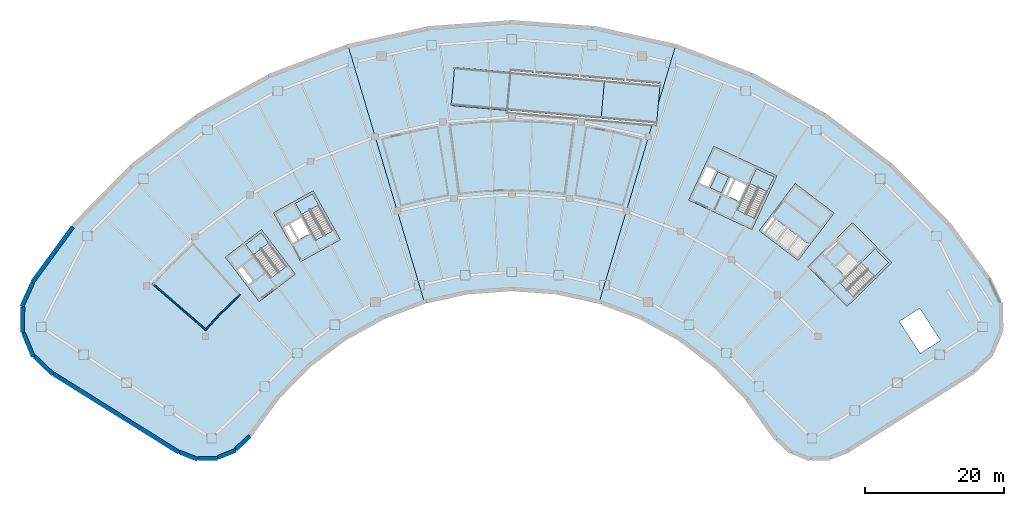
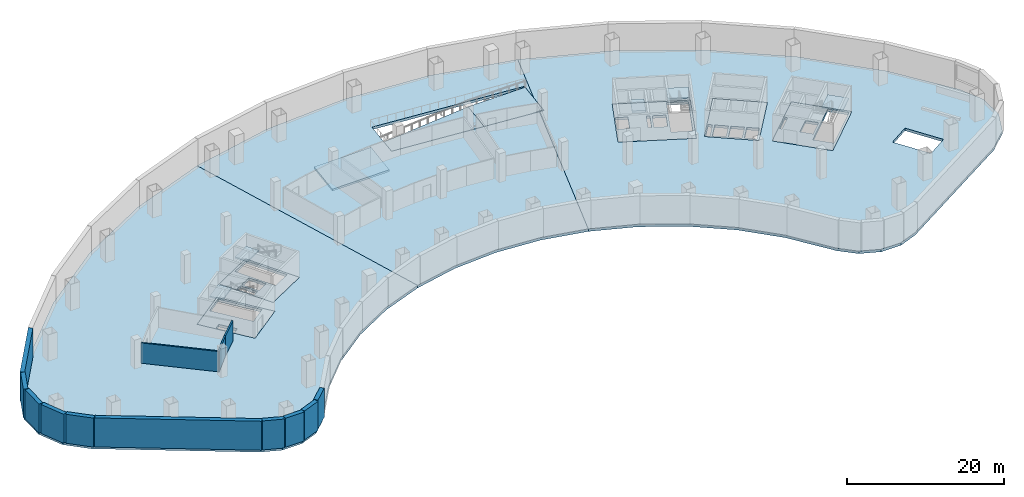
# One storey, part 3 of 11: 16 slabs, 13 walls, 4 elements without a shape of their own.
"""IFC4 building model written with IfcOpenShell, lengths in metres."""

import ifcopenshell
import ifcopenshell.guid

model = None  # the IFC model being written
_history = None  # IfcOwnerHistory: only IFC2X3 demands one
_inside = {}  # id of a spatial element -> (the spatial element, [elements in it])
_under = {}  # id of a project, library or spatial element -> (it, [spatial elements below it])
_declared = {}  # id of a project -> (the project, [libraries it declares])
_typed = {}  # id of a type object -> (the type object, [elements of that type])
_made_of = {}  # id of a material, layer set ... -> (it, [elements and type objects made of it])


def new_model(schema):
    """Start an empty IFC model of exactly this schema.

    Asked for "IFC4X3", IfcOpenShell would pick the latest addendum, in which some entities
    have other attributes; the version numbers below select the first issue.
    IFC2X3 requires an IfcOwnerHistory on every rooted entity: one is made here for all.
    """
    global model, _history
    if schema == "IFC4X3":
        model = ifcopenshell.file(schema_version=(4, 3, 0, 0))
    else:
        model = ifcopenshell.file(schema=schema)
    _inside.clear()
    _under.clear()
    _declared.clear()
    _typed.clear()
    _made_of.clear()
    _history = None
    if model.schema == "IFC2X3":
        org = make("IfcOrganization", Name="unknown")
        user = make(
            "IfcPersonAndOrganization",
            ThePerson=make("IfcPerson", FamilyName="unknown"),
            TheOrganization=org,
        )
        app = make(
            "IfcApplication",
            ApplicationDeveloper=org,
            Version="unknown",
            ApplicationFullName="unknown",
            ApplicationIdentifier="unknown",
        )
        _history = make(
            "IfcOwnerHistory",
            OwningUser=user,
            OwningApplication=app,
            ChangeAction="ADDED",
            CreationDate=0,
        )
    return model


def make(cls, **values):
    """One entity of the class cls with the attributes given. An attribute that is None is left unset."""
    return model.create_entity(
        cls, **{name: value for name, value in values.items() if value is not None}
    )


def rooted(cls, **values):
    """An entity with a GlobalId (a new one), such as an element, a storey or a relation."""
    return make(cls, GlobalId=ifcopenshell.guid.new(), OwnerHistory=_history, **values)


def si_unit(unit_type, name, prefix=None):
    """IfcSIUnit, for example si_unit("LENGTHUNIT", "METRE", prefix="MILLI")."""
    return make("IfcSIUnit", UnitType=unit_type, Prefix=prefix, Name=name)


def assignment(units):
    """IfcUnitAssignment: the units of a project."""
    return None if units is None else make("IfcUnitAssignment", Units=units)


def point(xyz):
    """IfcCartesianPoint."""
    return None if xyz is None else make("IfcCartesianPoint", Coordinates=xyz)


def direction(xyz):
    """IfcDirection."""
    return None if xyz is None else make("IfcDirection", DirectionRatios=xyz)


def frame(location, z_axis=None, x_axis=None):
    """IfcAxis2Placement3D, a coordinate frame: its origin and axes. An axis left out is left unset."""
    return make(
        "IfcAxis2Placement3D",
        Location=point(location),
        Axis=direction(z_axis),
        RefDirection=direction(x_axis),
    )


def frame_2d(location, x_axis=None):
    """IfcAxis2Placement2D, a coordinate frame in the plane: its origin and x axis."""
    return make(
        "IfcAxis2Placement2D", Location=point(location), RefDirection=direction(x_axis)
    )


def origin():
    """The frame at (0, 0, 0) with its axes left unset."""
    return frame((0.0, 0.0, 0.0))


def place(relative_to, where):
    """IfcLocalPlacement: puts the frame where relative to a parent placement (None: the world)."""
    return make(
        "IfcLocalPlacement", PlacementRelTo=relative_to, RelativePlacement=where
    )


def context(
    kind, dimensions, precision=None, world=None, true_north=None, identifier=None
):
    """IfcGeometricRepresentationContext, for example the 3D "Model" context."""
    return make(
        "IfcGeometricRepresentationContext",
        ContextIdentifier=identifier,
        ContextType=kind,
        CoordinateSpaceDimension=dimensions,
        Precision=precision,
        WorldCoordinateSystem=world,
        TrueNorth=true_north,
    )


def subcontext(parent, identifier, kind, view, scale=None):
    """IfcGeometricRepresentationSubContext, for example "Body" below "Model"."""
    return make(
        "IfcGeometricRepresentationSubContext",
        ContextIdentifier=identifier,
        ContextType=kind,
        ParentContext=parent,
        TargetScale=scale,
        TargetView=view,
    )


def project(units=None, contexts=None):
    """IfcProject with its units and contexts."""
    return rooted(
        "IfcProject",
        Name="project",
        RepresentationContexts=contexts,
        UnitsInContext=assignment(units),
    )


def spatial(cls, under=None, at=None, **own):
    """A site, building, storey or space (cls), placed at a placement, below another one or the project."""
    s = rooted(cls, ObjectPlacement=at, **own)
    if under is not None:
        _under.setdefault(under.id(), (under, []))[1].append(s)
    return s


def polyline(points):
    """IfcPolyline through the points."""
    return make("IfcPolyline", Points=[point(p) for p in points])


def profile(cls, at=None, kind="AREA", **sizes):
    """A parametric profile (cls). Its sizes go by their IFC names, for example OverallWidth=200.0."""
    return make(cls, ProfileType=kind, Position=at, **sizes)


def rectangle(**sizes):
    """IfcRectangleProfileDef."""
    return profile("IfcRectangleProfileDef", **sizes)


def outline(outer, holes=None, kind="AREA"):
    """IfcArbitraryClosedProfileDef: a profile drawn as a closed curve; with holes, ...WithVoids."""
    if holes is None:
        return make("IfcArbitraryClosedProfileDef", ProfileType=kind, OuterCurve=outer)
    return make(
        "IfcArbitraryProfileDefWithVoids",
        ProfileType=kind,
        OuterCurve=outer,
        InnerCurves=holes,
    )


def extrude(swept, where, along, depth):
    """IfcExtrudedAreaSolid: the profile swept, set in the frame where, extruded along a direction by depth."""
    return make(
        "IfcExtrudedAreaSolid",
        SweptArea=swept,
        Position=where,
        ExtrudedDirection=direction(along),
        Depth=depth,
    )


def shape(context_of_items, identifier, shape_type, items):
    """IfcShapeRepresentation: the items that make up one representation, for example the "Body"."""
    return make(
        "IfcShapeRepresentation",
        ContextOfItems=context_of_items,
        RepresentationIdentifier=identifier,
        RepresentationType=shape_type,
        Items=items,
    )


def material(Name=None, Category=None):
    """IfcMaterial."""
    return make("IfcMaterial", Name=Name, Category=Category)


def layer(
    of_material, thickness, ventilated=None, Name=None, Category=None, Priority=None
):
    """IfcMaterialLayer: one layer of a wall or slab, of a material (None: an air gap)."""
    return make(
        "IfcMaterialLayer",
        Material=of_material,
        LayerThickness=thickness,
        IsVentilated=ventilated,
        Name=Name,
        Category=Category,
        Priority=Priority,
    )


def layer_set(layers, Name=None):
    """IfcMaterialLayerSet."""
    return make("IfcMaterialLayerSet", MaterialLayers=layers, LayerSetName=Name)


def made_of(thing, what):
    """Note that an element or type object is made of a material, layer set ...; save() writes the relation."""
    if what is not None:
        _made_of.setdefault(what.id(), (what, []))[1].append(thing)
    return thing


def type_object(cls, material=None, **own):
    """A type object (cls), such as IfcWallType, which elements share."""
    return made_of(rooted(cls, **own), material)


def element(
    cls,
    number,
    at=None,
    inside=None,
    cuts=None,
    type_object=None,
    material=None,
    context=None,
    identifier="Body",
    shape_type=None,
    held_by="IfcProductDefinitionShape",
    body=None,
    shapes=None,
    **own,
):
    """One element of the class cls, such as IfcWall. Its Tag is "e" and its number.

    at: its placement. inside: the storey or other place that contains it. cuts: it is an
    opening in that element (IfcRelVoidsElement). A single representation is given by context,
    identifier, shape_type and body (its items); several are given by shapes. held_by: the class
    of the entity that holds the representations. save() writes the other relations.
    """
    e = rooted(cls, Tag="e%d" % number, ObjectPlacement=at, **own)
    if body is not None:
        shapes = [shape(context, identifier, shape_type, body)]
    if shapes is not None:
        e.Representation = make(held_by, Representations=shapes)
    if inside is not None:
        _inside.setdefault(inside.id(), (inside, []))[1].append(e)
    if cuts is not None:
        rooted(
            "IfcRelVoidsElement", RelatingBuildingElement=cuts, RelatedOpeningElement=e
        )
    if type_object is not None:
        _typed.setdefault(type_object.id(), (type_object, []))[1].append(e)
    return made_of(e, material)


def aggregate(whole, parts):
    """IfcRelAggregates: a whole, such as a stair, and the parts it consists of."""
    return rooted("IfcRelAggregates", RelatingObject=whole, RelatedObjects=parts)


def save(model, path):
    """Write the relations noted so far, then the file.

    IfcRelAggregates (storeys below a building ...), IfcRelContainedInSpatialStructure (elements
    in a storey), IfcRelDefinesByType, IfcRelAssociatesMaterial and IfcRelDeclares: one each for
    every whole, place, type object, material and project.
    """
    for whole, parts in _under.values():
        aggregate(whole, parts)
    for where, things in _inside.values():
        rooted(
            "IfcRelContainedInSpatialStructure",
            RelatedElements=things,
            RelatingStructure=where,
        )
    for kind, things in _typed.values():
        rooted("IfcRelDefinesByType", RelatedObjects=things, RelatingType=kind)
    for what, things in _made_of.values():
        rooted("IfcRelAssociatesMaterial", RelatedObjects=things, RelatingMaterial=what)
    for by, libraries in _declared.values():
        rooted("IfcRelDeclares", RelatingContext=by, RelatedDefinitions=libraries)
    model.write(path)


model = new_model("IFC4")

# Units and contexts
model_context = context("Model", 3, precision=1e-05, world=origin(), true_north=direction((0.0, 1.0)))
body_context = subcontext(model_context, "Body", "Model", "MODEL_VIEW")
ifc_project = project(units=[si_unit("LENGTHUNIT", "METRE"), si_unit("AREAUNIT", "SQUARE_METRE"), si_unit("VOLUMEUNIT", "CUBIC_METRE"), si_unit("PLANEANGLEUNIT", "RADIAN"), si_unit("MASSUNIT", "GRAM", prefix="KILO")], contexts=[model_context])

# Site, building, storey
site_placement = place(None, origin())
site = spatial("IfcSite", under=ifc_project, at=site_placement, CompositionType="ELEMENT")
building_placement = place(site_placement, origin())
building = spatial("IfcBuilding", under=site, at=building_placement, Name="Tuul Gate Civic Tower", CompositionType="ELEMENT")
storey_placement = place(building_placement, frame((0.0, 0.0, -4.5)))
storey = spatial("IfcBuildingStorey", under=building, at=storey_placement, Name="Basement 1", CompositionType="ELEMENT", Elevation=-4.5)

# Slabs
ifc_material_1 = material(Name="Concrete C40/50", Category="concrete")
ifc_layer_1 = layer(ifc_material_1, 0.39990234375)
ifc_layer_set_1 = layer_set([ifc_layer_1], Name="Concrete C40/50")
slab_type_1 = type_object("IfcSlabType", Name="Core floor slab 400", PredefinedType="FLOOR", material=ifc_layer_set_1)
slab_1_placement = place(storey_placement, frame((0.0, 0.0, -0.400146484375)))
element("IfcSlab", 1, at=slab_1_placement, inside=storey, type_object=slab_type_1, Name="FLOOR SLAB", PredefinedType="FLOOR", context=body_context, shape_type="SweptSolid", body=[
    extrude(outline(polyline([(-31.10009765625, -13.7890625), (-35.946044921875, -7.423828125), (-41.11767578125, -11.361572265625), (-36.271484375, -17.726806640625), (-31.10009765625, -13.7890625)]), holes=[polyline([(-37.19287109375, -14.783203125), (-38.737548828125, -12.75439453125), (-39.45361328125, -13.299560546875), (-37.908935546875, -15.328369140625), (-37.19287109375, -14.783203125)]), polyline([(-32.33935546875, -12.65771484375), (-34.56591796875, -14.352783203125), (-38.229736328125, -9.54052734375), (-36.003173828125, -7.845458984375), (-32.33935546875, -12.65771484375)])]), origin(), (0.0, 0.0, 1.0), 0.400146484375),
])
slab_2_placement = place(storey_placement, frame((0.0, 0.0, -0.400146484375)))
element("IfcSlab", 2, at=slab_2_placement, inside=storey, type_object=slab_type_1, Name="FLOOR SLAB", PredefinedType="FLOOR", context=body_context, shape_type="SweptSolid", body=[
    extrude(outline(polyline([(-24.638916015625, -8.846923828125), (-28.51708984375, -1.849853515625), (-34.2021484375, -5.0009765625), (-30.32421875, -11.998046875), (-24.638916015625, -8.846923828125)]), holes=[polyline([(-29.0185546875, -7.958740234375), (-30.254638671875, -5.728515625), (-31.785400390625, -6.576904296875), (-30.54931640625, -8.80712890625), (-29.0185546875, -7.958740234375)]), polyline([(-30.8115234375, -8.95263671875), (-32.047607421875, -6.72216796875), (-32.8349609375, -7.158447265625), (-31.5986328125, -9.388916015625), (-30.8115234375, -8.95263671875)]), polyline([(-25.702392578125, -7.548828125), (-28.14990234375, -8.905517578125), (-31.08203125, -3.615234375), (-28.63427734375, -2.2587890625), (-25.702392578125, -7.548828125)])]), origin(), (0.0, 0.0, 1.0), 0.400146484375),
])
slab_3_placement = place(storey_placement, frame((0.0, 0.0, -0.400146484375)))
element("IfcSlab", 3, at=slab_3_placement, inside=storey, type_object=slab_type_1, Name="FLOOR SLAB", PredefinedType="FLOOR", context=body_context, shape_type="SweptSolid", body=[
    extrude(outline(polyline([(48.117919921875, -18.43310546875), (54.545166015625, -12.1328125), (48.945068359375, -6.419921875), (42.517822265625, -12.719970703125), (48.117919921875, -18.43310546875)]), holes=[polyline([(47.808837890625, -13.974853515625), (49.6298828125, -12.18994140625), (48.40478515625, -10.940185546875), (46.583984375, -12.72509765625), (47.808837890625, -13.974853515625)]), polyline([(44.93896484375, -11.046875), (46.760009765625, -9.261962890625), (46.514892578125, -9.011962890625), (44.69384765625, -10.797119140625), (44.93896484375, -11.046875)]), polyline([(49.086181640625, -17.062744140625), (47.12744140625, -15.064208984375), (52.160888671875, -10.130126953125), (54.11962890625, -12.128662109375), (49.086181640625, -17.062744140625)])]), origin(), (0.0, 0.0, 1.0), 0.400146484375),
])
slab_4_placement = place(storey_placement, frame((0.0, 0.0, -0.400146484375)))
element("IfcSlab", 4, at=slab_4_placement, inside=storey, type_object=slab_type_1, Name="FLOOR SLAB", PredefinedType="FLOOR", context=body_context, shape_type="SweptSolid", body=[
    extrude(outline(polyline([(34.465087890625, -7.385986328125), (38.056884765625, 0.31787109375), (28.993896484375, 4.543701171875), (25.40185546875, -3.159912109375), (34.465087890625, -7.385986328125)]), holes=[polyline([(32.60888671875, -3.32080078125), (33.6865234375, -1.009765625), (32.1005859375, -0.27001953125), (31.02294921875, -2.581298828125), (32.60888671875, -3.32080078125)]), polyline([(30.751220703125, -2.454345703125), (31.82861328125, -0.143310546875), (31.4208984375, 0.046875), (30.34326171875, -2.264404296875), (30.751220703125, -2.454345703125)]), polyline([(28.21337890625, -1.27099609375), (29.291015625, 1.0400390625), (27.8408203125, 1.71630859375), (26.76318359375, -0.594970703125), (28.21337890625, -1.27099609375)]), polyline([(34.889892578125, -5.7626953125), (32.353759765625, -4.580078125), (35.120849609375, 1.354736328125), (37.6572265625, 0.17236328125), (34.889892578125, -5.7626953125)])]), origin(), (0.0, 0.0, 1.0), 0.400146484375),
])
ifc_material_2 = material(Name="Concrete C40/50", Category="concrete")
ifc_layer_2 = layer(ifc_material_2, 0.39990234375)
ifc_layer_set_2 = layer_set([ifc_layer_2], Name="Concrete C40/50")
slab_type_2 = type_object("IfcSlabType", Name="Core floor slab 400 non-bearing", PredefinedType="FLOOR", material=ifc_layer_set_2)
slab_5_placement = place(storey_placement, frame((0.0, 0.0, -0.400146484375)))
element("IfcSlab", 5, at=slab_5_placement, inside=storey, type_object=slab_type_2, Name="FLOOR SLAB", PredefinedType="FLOOR", context=body_context, shape_type="SweptSolid", body=[
    extrude(outline(polyline([(41.10107421875, -11.797119140625), (46.25, -5.033935546875), (40.680908203125, -0.79296875), (35.531982421875, -7.555908203125), (41.10107421875, -11.797119140625)]), holes=[polyline([(41.044189453125, -11.37646484375), (42.497802734375, -9.467041015625), (41.22509765625, -8.49755859375), (39.77099609375, -10.4072265625), (41.044189453125, -11.37646484375)]), polyline([(39.532470703125, -10.225341796875), (40.986328125, -8.31591796875), (39.593994140625, -7.255615234375), (38.14013671875, -9.165283203125), (39.532470703125, -10.225341796875)]), polyline([(37.901611328125, -8.9833984375), (39.35546875, -7.073974609375), (37.963134765625, -6.013671875), (36.50927734375, -7.923095703125), (37.901611328125, -8.9833984375)]), polyline([(36.1796875, -7.860595703125), (37.724609375, -5.831787109375), (37.286865234375, -5.49853515625), (35.7421875, -7.527587890625), (36.1796875, -7.860595703125)])]), origin(), (0.0, 0.0, 1.0), 0.400146484375),
])

# Stair, slab
ifc_material_3 = material(Name="Concrete C40/50", Category="concrete")
stair_type = type_object("IfcStairType", Name="Exit stair", PredefinedType="HALF_TURN_STAIR", material=ifc_material_3)
stair_1_placement = place(storey_placement, origin())
stair_1 = element("IfcStair", 6, at=stair_1_placement, inside=storey, type_object=stair_type, Name="Basement 1 ST-1", PredefinedType="HALF_TURN_STAIR")
ifc_material_4 = material(Name="Concrete C40/50", Category="concrete")
ifc_layer_3 = layer(ifc_material_4, 0.199951171875)
ifc_layer_set_3 = layer_set([ifc_layer_3], Name="Concrete C40/50")
slab_type_3 = type_object("IfcSlabType", Name="Exit stair landing", PredefinedType="LANDING", material=ifc_layer_set_3)
slab_6_placement = place(storey_placement, frame((0.0, 0.0, 2.050048828125)))
slab_6 = element("IfcSlab", 7, at=slab_6_placement, type_object=slab_type_3, Name="ST-1 landing 1", PredefinedType="LANDING", context=body_context, shape_type="SweptSolid", body=[
    extrude(outline(polyline([(-34.88134765625, -9.31640625), (-37.1103515625, -11.013427734375), (-38.23193359375, -9.540283203125), (-36.0029296875, -7.843017578125), (-34.88134765625, -9.31640625)])), origin(), (0.0, 0.0, 1.0), 0.199951171875),
])
aggregate(stair_1, [slab_6])

stair_2_placement = place(storey_placement, origin())
stair_2 = element("IfcStair", 8, at=stair_2_placement, inside=storey, type_object=stair_type, Name="Basement 1 ST-2", PredefinedType="HALF_TURN_STAIR")
slab_7_placement = place(storey_placement, frame((0.0, 0.0, 2.050048828125)))
slab_7 = element("IfcSlab", 9, at=slab_7_placement, type_object=slab_type_3, Name="ST-2 landing 1", PredefinedType="LANDING", context=body_context, shape_type="SweptSolid", body=[
    extrude(outline(polyline([(-27.736083984375, -3.8759765625), (-30.1865234375, -5.234130859375), (-31.084228515625, -3.61474609375), (-28.6337890625, -2.256591796875), (-27.736083984375, -3.8759765625)])), origin(), (0.0, 0.0, 1.0), 0.199951171875),
])
aggregate(stair_2, [slab_7])

stair_3_placement = place(storey_placement, origin())
stair_3 = element("IfcStair", 10, at=stair_3_placement, inside=storey, type_object=stair_type, Name="Basement 1 ST-3", PredefinedType="HALF_TURN_STAIR")
slab_8_placement = place(storey_placement, frame((0.0, 0.0, 2.050048828125)))
slab_8 = element("IfcSlab", 11, at=slab_8_placement, type_object=slab_type_3, Name="ST-3 landing 1", PredefinedType="LANDING", context=body_context, shape_type="SweptSolid", body=[
    extrude(outline(polyline([(52.085693359375, -14.124755859375), (50.12451171875, -12.1240234375), (52.160888671875, -10.1279296875), (54.1220703125, -12.128662109375), (52.085693359375, -14.124755859375)])), origin(), (0.0, 0.0, 1.0), 0.199951171875),
])
aggregate(stair_3, [slab_8])

stair_4_placement = place(storey_placement, origin())
stair_4 = element("IfcStair", 12, at=stair_4_placement, inside=storey, type_object=stair_type, Name="Basement 1 ST-4", PredefinedType="HALF_TURN_STAIR")
slab_9_placement = place(storey_placement, frame((0.0, 0.0, 2.050048828125)))
slab_9 = element("IfcSlab", 13, at=slab_9_placement, type_object=slab_type_3, Name="ST-4 landing 1", PredefinedType="LANDING", context=body_context, shape_type="SweptSolid", body=[
    extrude(outline(polyline([(36.66552734375, -1.958251953125), (34.12646484375, -0.7744140625), (35.1201171875, 1.35693359375), (37.659423828125, 0.173095703125), (36.66552734375, -1.958251953125)])), origin(), (0.0, 0.0, 1.0), 0.199951171875),
])
aggregate(stair_4, [slab_9])

# Slabs
ifc_material_5 = material(Name="Concrete C40/50", Category="concrete")
ifc_layer_4 = layer(ifc_material_5, 0.300048828125)
ifc_layer_set_4 = layer_set([ifc_layer_4], Name="Concrete C40/50")
slab_type_4 = type_object("IfcSlabType", Name="Lift pit floor", PredefinedType="USERDEFINED", material=ifc_layer_set_4)
slab_10_placement = place(storey_placement, frame((0.0, 0.0, 2.39990234375)))
element("IfcSlab", 14, at=slab_10_placement, inside=storey, type_object=slab_type_4, Name="Lift pit floor X1", ObjectType="LIFT PIT FLOOR", PredefinedType="USERDEFINED", context=body_context, shape_type="SweptSolid", body=[
    extrude(outline(polyline([(30.0712890625, -2.137451171875), (31.14892578125, 0.173583984375), (29.562744140625, 0.9130859375), (28.4853515625, -1.39794921875), (30.0712890625, -2.137451171875)])), origin(), (0.0, 0.0, 1.0), 0.300048828125),
])
ifc_material_6 = material(Name="Concrete C40/50", Category="concrete")
ifc_layer_5 = layer(ifc_material_6, 0.300048828125)
ifc_layer_set_5 = layer_set([ifc_layer_5], Name="Concrete C40/50")
slab_type_5 = type_object("IfcSlabType", Name="Ramp slab", PredefinedType="LANDING", material=ifc_layer_set_5)
slab_11_placement = place(storey_placement, frame((20.79150390625, 7.82861328125, 0.0), z_axis=(-0.082722578958, 0.007239423629, 0.996546318881), x_axis=(-0.992755491989, 0.08683950031, -0.083038751872)))
element("IfcSlab", 15, at=slab_11_placement, inside=storey, type_object=slab_type_5, Name="Vehicle ramp slab R2.1", PredefinedType="LANDING", context=body_context, shape_type="SweptSolid", body=[
    extrude(outline(polyline([(0.0, 0.0), (8.029360170330643, -7.008943528645159e-17), (8.029135629239333, -5.499945137195242), (-0.0002245410913098711, -5.499945137195243), (0.0, 0.0)])), origin(), (0.083038751872, -3.390145e-06, -0.996546318881), 0.300048828125),
])
slab_12_placement = place(storey_placement, frame((12.822021484375, 8.52587890625, -0.66650390625), z_axis=(-0.163768097519, 0.014324782792, 0.986394855437), x_axis=(-0.982642279512, 0.085959067874, -0.164393397572)))
element("IfcSlab", 16, at=slab_12_placement, inside=storey, type_object=slab_type_5, Name="Vehicle ramp slab R2.2", PredefinedType="LANDING", context=body_context, shape_type="SweptSolid", body=[
    extrude(outline(polyline([(0.0, 0.0), (13.789152950173918, -9.954119437895724e-17), (13.789193625602595, -5.499923862516805), (4.067542867663976e-05, -5.499923862516806), (0.0, 0.0)])), origin(), (0.164393397572, 1.215794e-06, -0.986394855437), 0.300048828125),
])
slab_13_placement = place(storey_placement, frame((-0.726318359375, 9.711181640625, -2.933349609375), z_axis=(-0.082722578958, 0.007239423629, 0.996546318881), x_axis=(-0.992755491989, 0.08683950031, -0.083038751872)))
element("IfcSlab", 17, at=slab_13_placement, inside=storey, type_object=slab_type_5, Name="Vehicle ramp slab R2.3", PredefinedType="LANDING", context=body_context, shape_type="SweptSolid", body=[
    extrude(outline(polyline([(0.0, 0.0), (8.029360170330643, -7.008943528645159e-17), (8.029135629239333, -5.499945137195242), (-0.0002245410913098711, -5.499945137195243), (0.0, 0.0)])), origin(), (0.083038751872, -3.390145e-06, -0.996546318881), 0.300048828125),
])
ifc_material_7 = material(Name="Concrete C35/45", Category="concrete")
ifc_layer_6 = layer(ifc_material_7, 0.39990234375)
ifc_layer_set_6 = layer_set([ifc_layer_6], Name="Concrete C35/45")
slab_type_6 = type_object("IfcSlabType", Name="STR-FLOOR-SLAB-400", PredefinedType="FLOOR", material=ifc_layer_set_6)
slab_14_placement = place(storey_placement, frame((0.0, 0.0, -0.400146484375)))
element("IfcSlab", 18, at=slab_14_placement, inside=storey, type_object=slab_type_6, Name="Basement 1/slab/W", PredefinedType="FLOOR", context=body_context, shape_type="SweptSolid", body=[
    extrude(outline(polyline([(-18.4619140625, -20.14892578125), (-12.52587890625, -17.904052734375), (-23.535888671875, 19.093017578125), (-34.68798828125, 14.8759765625), (-45.116943359375, 9.095947265625), (-54.60302734375, 1.873046875), (-62.948974609375, -6.64208984375), (-68.8310546875, -14.695068359375), (-70.39208984375, -18.14111328125), (-70.447998046875, -21.924072265625), (-68.988037109375, -25.4150390625), (-66.256103515625, -28.031982421875), (-48.069091796875, -39.39697265625), (-45.388916015625, -40.43994140625), (-42.512939453125, -40.429931640625), (-39.840087890625, -39.367919921875), (-37.739990234375, -37.402099609375), (-33.50390625, -31.60107421875), (-29.06103515625, -27.070068359375), (-24.011962890625, -23.22509765625), (-18.4619140625, -20.14892578125)]), holes=[polyline([(-36.27197265625, -17.72705078125), (-41.117919921875, -11.362060546875), (-35.946044921875, -7.424072265625), (-31.10009765625, -13.7890625), (-36.27197265625, -17.72705078125)]), polyline([(-30.323974609375, -11.998046875), (-34.201904296875, -5.0009765625), (-28.51708984375, -1.85009765625), (-24.638916015625, -8.846923828125), (-30.323974609375, -11.998046875)])]), origin(), (0.0, 0.0, 1.0), 0.400146484375),
])
slab_15_placement = place(storey_placement, frame((0.0, 0.0, -0.400146484375)))
element("IfcSlab", 19, at=slab_15_placement, inside=storey, type_object=slab_type_6, Name="Basement 1/slab/M", PredefinedType="FLOOR", context=body_context, shape_type="SweptSolid", body=[
    extrude(outline(polyline([(12.52587890625, -17.904052734375), (20.14111328125, 7.68505859375), (-0.531005859375, 9.492919921875), (-0.01708984375, 15.37109375), (21.2880859375, 13.507080078125), (21.0439453125, 10.718017578125), (23.535888671875, 19.093017578125), (11.89208984375, 21.659912109375), (0.0, 22.52099609375), (-11.89208984375, 21.659912109375), (-23.535888671875, 19.093017578125), (-12.52587890625, -17.904052734375), (-6.3291015625, -16.5380859375), (0.0, -16.080078125), (6.3291015625, -16.5380859375), (12.52587890625, -17.904052734375)])), origin(), (0.0, 0.0, 1.0), 0.400146484375),
])
slab_16_placement = place(storey_placement, frame((0.0, 0.0, -0.400146484375)))
element("IfcSlab", 20, at=slab_16_placement, inside=storey, type_object=slab_type_6, Name="Basement 1/slab/E", PredefinedType="FLOOR", context=body_context, shape_type="SweptSolid", body=[
    extrude(outline(polyline([(45.388916015625, -40.43994140625), (48.069091796875, -39.39697265625), (66.256103515625, -28.031982421875), (68.988037109375, -25.4150390625), (70.447998046875, -21.924072265625), (70.39208984375, -18.14111328125), (68.8310546875, -14.695068359375), (62.948974609375, -6.64208984375), (54.60302734375, 1.873046875), (45.116943359375, 9.095947265625), (34.68798828125, 14.8759765625), (23.535888671875, 19.093017578125), (21.0439453125, 10.718017578125), (20.77294921875, 7.62890625), (20.14111328125, 7.68505859375), (12.52587890625, -17.904052734375), (18.4619140625, -20.14892578125), (24.011962890625, -23.22509765625), (29.06103515625, -27.070068359375), (33.50390625, -31.60107421875), (37.739990234375, -37.402099609375), (39.840087890625, -39.367919921875), (42.512939453125, -40.429931640625), (45.388916015625, -40.43994140625)]), holes=[polyline([(58.631103515625, -25.202880859375), (55.635986328125, -20.591064453125), (58.554931640625, -18.695068359375), (61.550048828125, -23.30810546875), (58.631103515625, -25.202880859375)]), polyline([(42.51806640625, -12.719970703125), (48.945068359375, -6.419921875), (54.544921875, -12.133056640625), (48.117919921875, -18.43310546875), (42.51806640625, -12.719970703125)]), polyline([(35.531982421875, -7.555908203125), (40.680908203125, -0.79296875), (46.25, -5.033935546875), (41.10107421875, -11.797119140625), (35.531982421875, -7.555908203125)]), polyline([(25.402099609375, -3.159912109375), (28.993896484375, 4.5439453125), (38.056884765625, 0.318115234375), (34.465087890625, -7.385986328125), (25.402099609375, -3.159912109375)])]), origin(), (0.0, 0.0, 1.0), 0.400146484375),
])

# Walls
ifc_material_8 = material(Name="Concrete block", Category="concrete")
ifc_layer_7 = layer(ifc_material_8, 0.199951171875)
ifc_layer_set_7 = layer_set([ifc_layer_7], Name="Concrete block")
wall_type_1 = type_object("IfcWallType", Name="Basement room wall EI 120", PredefinedType="PARTITIONING", material=ifc_layer_set_7)
wall_1_placement = place(storey_placement, frame((-39.02490234375, -16.742431640625, 0.0), z_axis=(0.0, 0.0, 1.0), x_axis=(-0.720986248136, -0.692949370444, 0.0)))
element("IfcWall", 21, at=wall_1_placement, inside=storey, type_object=wall_type_1, Name="Room wall", PredefinedType="PARTITIONING", context=body_context, shape_type="SweptSolid", body=[
    extrude(rectangle(XDim=3.6748046875, YDim=0.199951171875, at=frame_2d((1.83740234375, 0.0))), origin(), (0.0, 0.0, 1.0), 3.14990234375),
])
wall_2_placement = place(storey_placement, frame((-41.534423828125, -19.14599609375, 0.0), z_axis=(0.0, 0.0, 1.0), x_axis=(-0.678409786411, -0.734683715418, 0.0)))
element("IfcWall", 22, at=wall_2_placement, inside=storey, type_object=wall_type_1, Name="Room wall", PredefinedType="PARTITIONING", context=body_context, shape_type="SweptSolid", body=[
    extrude(rectangle(XDim=3.674560546875, YDim=0.199951171875, at=frame_2d((1.83740234375, 0.0))), origin(), (0.0, 0.0, 1.0), 3.14990234375),
])
wall_3_placement = place(storey_placement, frame((-43.884033203125, -21.837890625, 0.0), z_axis=(0.0, 0.0, 1.0), x_axis=(-0.754576981517, 0.656211535227, 0.0)))
element("IfcWall", 23, at=wall_3_placement, inside=storey, type_object=wall_type_1, Name="Room wall", PredefinedType="PARTITIONING", context=body_context, shape_type="SweptSolid", body=[
    extrude(rectangle(XDim=10.12890625, YDim=0.199951171875, at=frame_2d((5.064453125, 0.0))), origin(), (0.0, 0.0, 1.0), 3.14990234375),
])
ifc_material_9 = material(Name="Concrete C40/50", Category="concrete")
ifc_layer_8 = layer(ifc_material_9, 0.60009765625)
ifc_layer_set_8 = layer_set([ifc_layer_8], Name="Concrete C40/50")
wall_type_2 = type_object("IfcWallType", Name="STR-BASEMENT-WALL-600", PredefinedType="SOLIDWALL", material=ifc_layer_set_8)
wall_4_placement = place(storey_placement, frame((-63.036376953125, -7.014892578125, 0.0), z_axis=(0.0, 0.0, 1.0), x_axis=(-0.589717467002, -0.807609626684, 0.0)))
element("IfcWall", 24, at=wall_4_placement, inside=storey, type_object=wall_type_2, Name="Retaining wall", PredefinedType="SOLIDWALL", context=body_context, shape_type="SweptSolid", body=[
    extrude(rectangle(XDim=9.844482421875, YDim=0.60009765625, at=frame_2d((4.92236328125, 0.0))), origin(), (0.0, 0.0, 1.0), 4.5),
])
wall_5_placement = place(storey_placement, frame((-68.81201171875, -15.04736328125, 0.0), z_axis=(0.0, 0.0, 1.0), x_axis=(-0.413006193116, -0.910728216565, 0.0)))
element("IfcWall", 25, at=wall_5_placement, inside=storey, type_object=wall_type_2, Name="Retaining wall", PredefinedType="SOLIDWALL", context=body_context, shape_type="SweptSolid", body=[
    extrude(rectangle(XDim=3.694580078125, YDim=0.60009765625, at=frame_2d((1.84716796875, 0.0))), origin(), (0.0, 0.0, 1.0), 4.5),
])
wall_6_placement = place(storey_placement, frame((-70.2197265625, -18.53515625, 0.0), z_axis=(0.0, 0.0, 1.0), x_axis=(-0.014360576456, -0.999896881605, 0.0)))
element("IfcWall", 26, at=wall_6_placement, inside=storey, type_object=wall_type_2, Name="Retaining wall", PredefinedType="SOLIDWALL", context=body_context, shape_type="SweptSolid", body=[
    extrude(rectangle(XDim=3.6552734375, YDim=0.60009765625, at=frame_2d((1.82763671875, 0.0))), origin(), (0.0, 0.0, 1.0), 4.5),
])
wall_7_placement = place(storey_placement, frame((-70.115234375, -22.255126953125, 0.0), z_axis=(0.0, 0.0, 1.0), x_axis=(0.385800961198, -0.922582038812, 0.0)))
element("IfcWall", 27, at=wall_7_placement, inside=storey, type_object=wall_type_2, Name="Retaining wall", PredefinedType="SOLIDWALL", context=body_context, shape_type="SweptSolid", body=[
    extrude(rectangle(XDim=3.654541015625, YDim=0.60009765625, at=frame_2d((1.8271484375, 0.0))), origin(), (0.0, 0.0, 1.0), 4.5),
])
wall_8_placement = place(storey_placement, frame((-68.534912109375, -25.6240234375, 0.0), z_axis=(0.0, 0.0, 1.0), x_axis=(0.722138330628, -0.691748676499, 0.0)))
element("IfcWall", 28, at=wall_8_placement, inside=storey, type_object=wall_type_2, Name="Retaining wall", PredefinedType="SOLIDWALL", context=body_context, shape_type="SweptSolid", body=[
    extrude(rectangle(XDim=3.6552734375, YDim=0.60009765625, at=frame_2d((1.82763671875, 0.0))), origin(), (0.0, 0.0, 1.0), 4.5),
])
wall_9_placement = place(storey_placement, frame((-65.809814453125, -28.1337890625, 0.0), z_axis=(0.0, 0.0, 1.0), x_axis=(0.848038340643, -0.529934875999, 0.0)))
element("IfcWall", 29, at=wall_9_placement, inside=storey, type_object=wall_type_2, Name="Retaining wall", PredefinedType="SOLIDWALL", context=body_context, shape_type="SweptSolid", body=[
    extrude(rectangle(XDim=21.23876953125, YDim=0.60009765625, at=frame_2d((10.619384765625, 0.0))), origin(), (0.0, 0.0, 1.0), 4.5),
])
wall_10_placement = place(storey_placement, frame((-47.724853515625, -39.357666015625, 0.0), z_axis=(0.0, 0.0, 1.0), x_axis=(0.931985018109, -0.362496794497, 0.0)))
element("IfcWall", 30, at=wall_10_placement, inside=storey, type_object=wall_type_2, Name="Retaining wall", PredefinedType="SOLIDWALL", context=body_context, shape_type="SweptSolid", body=[
    extrude(rectangle(XDim=2.797607421875, YDim=0.60009765625, at=frame_2d((1.39892578125, 0.0))), origin(), (0.0, 0.0, 1.0), 4.5),
])
wall_11_placement = place(storey_placement, frame((-45.0068359375, -40.26171875, 0.0), z_axis=(0.0, 0.0, 1.0), x_axis=(0.999995206655, 0.003096234274, 0.0)))
element("IfcWall", 31, at=wall_11_placement, inside=storey, type_object=wall_type_2, Name="Retaining wall", PredefinedType="SOLIDWALL", context=body_context, shape_type="SweptSolid", body=[
    extrude(rectangle(XDim=2.759765625, YDim=0.60009765625, at=frame_2d((1.3798828125, 0.0))), origin(), (0.0, 0.0, 1.0), 4.5),
])
wall_12_placement = place(storey_placement, frame((-42.184326171875, -40.10986328125, 0.0), z_axis=(0.0, 0.0, 1.0), x_axis=(0.929413190064, 0.369040813643, 0.0)))
element("IfcWall", 32, at=wall_12_placement, inside=storey, type_object=wall_type_2, Name="Retaining wall", PredefinedType="SOLIDWALL", context=body_context, shape_type="SweptSolid", body=[
    extrude(rectangle(XDim=2.760009765625, YDim=0.60009765625, at=frame_2d((1.3798828125, 0.0))), origin(), (0.0, 0.0, 1.0), 4.5),
])
wall_13_placement = place(storey_placement, frame((-39.61328125, -38.935302734375, 0.0), z_axis=(0.0, 0.0, 1.0), x_axis=(0.729851482582, 0.683605744105, 0.0)))
element("IfcWall", 33, at=wall_13_placement, inside=storey, type_object=wall_type_2, Name="Retaining wall", PredefinedType="SOLIDWALL", context=body_context, shape_type="SweptSolid", body=[
    extrude(rectangle(XDim=2.760986328125, YDim=0.60009765625, at=frame_2d((1.38037109375, 0.0))), origin(), (0.0, 0.0, 1.0), 4.5),
])

save(model, "model.ifc")
